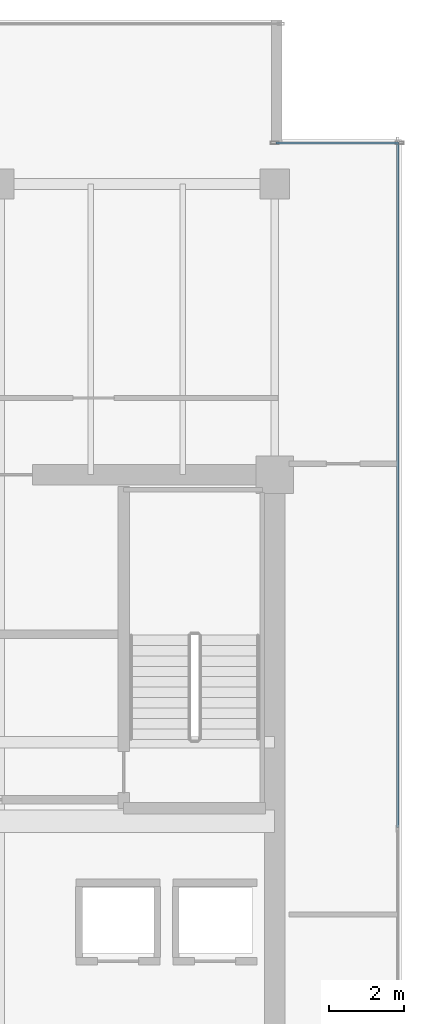
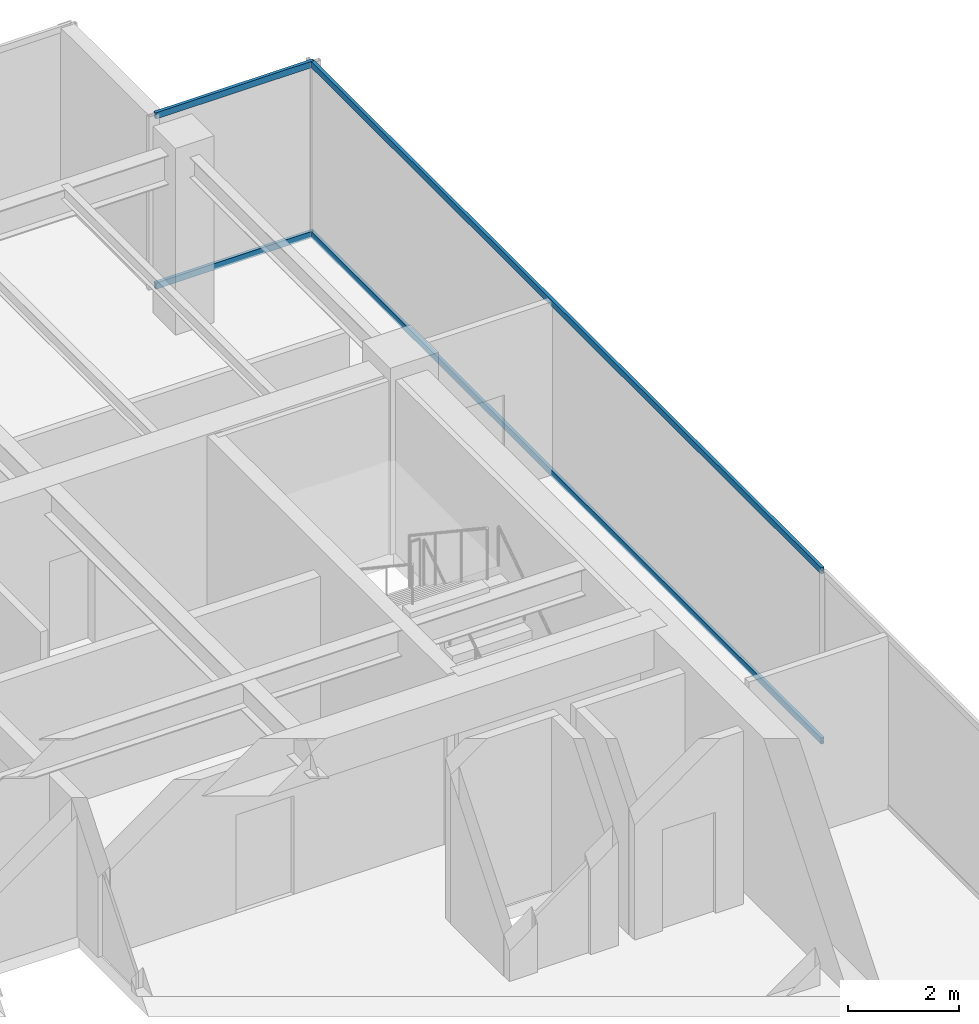
# One storey, part 25 of 33: 4 members, 2 elements without a shape of their own.
"""IFC4 building model written with IfcOpenShell, lengths in metres."""

from ifc_helpers import new_model, si_unit, direction, frame, origin, origin_2d, place, context, subcontext, project, spatial, hollow_rectangle, extrude, source, transform, mapped, material, layer, layer_set, material_profile, profile_set, type_object, type_shapes, element, aggregate, save


model = new_model("IFC4")

# Units and contexts
model_context = context("Model", 3, precision=1e-05, world=origin(), true_north=direction((0.0, 1.0)))
body_context = subcontext(model_context, "Body", "Model", "MODEL_VIEW")
ifc_project = project(units=[si_unit("LENGTHUNIT", "METRE"), si_unit("AREAUNIT", "SQUARE_METRE"), si_unit("VOLUMEUNIT", "CUBIC_METRE"), si_unit("PLANEANGLEUNIT", "RADIAN"), si_unit("MASSUNIT", "GRAM", prefix="KILO")], contexts=[model_context])

# Site, building, storey
site_placement = place(None, origin())
site = spatial("IfcSite", under=ifc_project, at=site_placement, CompositionType="ELEMENT")
building_placement = place(site_placement, origin())
building = spatial("IfcBuilding", under=site, at=building_placement, Name="Haelvirn Gate Laboratories", CompositionType="ELEMENT")
storey_placement = place(building_placement, frame((0.0, 0.0, 217.800048828125)))
storey = spatial("IfcBuildingStorey", under=building, at=storey_placement, Name="L52", CompositionType="ELEMENT", Elevation=217.800048828125)

# Curtain wall, members
ifc_material_1 = material(Name="Anodised bronze unitised aluminium & triple low-E glass", Category="aluminium")
ifc_layer_1 = layer(ifc_material_1, 0.181884765625, Name="CW-SYS-5")
ifc_layer_set_1 = layer_set([ifc_layer_1], Name="Anodised bronze unitised aluminium & triple low-E glass")
curtain_wall_type_1 = type_object("IfcCurtainWallType", Name="CW-SYS-5", PredefinedType="NOTDEFINED", material=ifc_layer_set_1)
curtain_wall_1_placement = place(storey_placement, origin())
curtain_wall_1 = element("IfcCurtainWall", 1, at=curtain_wall_1_placement, inside=storey, type_object=curtain_wall_type_1, Name="L52 Unitised Curtain Wall CW-L52-P0-E08-1", PredefinedType="NOTDEFINED")
ifc_material_2 = material(Name="Extruded aluminium 6063-T6 (anodised bronze)", Category="aluminium")
ifc_material_profile = material_profile(ifc_material_2, hollow_rectangle(XDim=0.06494140625, YDim=0.139892578125, WallThickness=0.00390625, at=origin_2d()), Name="CWT-140x65x4")
ifc_profile_set = profile_set([ifc_material_profile], Name="Extruded aluminium 6063-T6 (anodised bronze)")
member_type = type_object("IfcMemberType", Name="CWT-T140", PredefinedType="USERDEFINED", material=ifc_profile_set)
shared_shape_1 = source(origin(), body_context, "Body", "SweptSolid", [
    extrude(hollow_rectangle(XDim=0.06494140625, YDim=0.139892578125, WallThickness=0.00390625, at=origin_2d()), origin(), (0.0, 0.0, 1.0), 3.280029296875),
])
member_1_placement = place(storey_placement, frame((67.43994140625, 42.699951171875, 0.032470703125), z_axis=(1.0, 0.0, 0.0), x_axis=(0.0, 1.0, 0.0)))
member_1 = element("IfcMember", 2, at=member_1_placement, type_object=member_type, Name="CW5 transom 1.1", ObjectType="TRANSOM", PredefinedType="USERDEFINED", context=body_context, shape_type="MappedRepresentation", body=[
    mapped(shared_shape_1, transform((0.0, 0.0, 0.0), scale=1.0)),
])
member_2_placement = place(storey_placement, frame((67.43994140625, 42.699951171875, 3.767333984375), z_axis=(1.0, 0.0, 0.0), x_axis=(0.0, 1.0, 0.0)))
member_2 = element("IfcMember", 3, at=member_2_placement, type_object=member_type, Name="CW5 transom 1.2", ObjectType="TRANSOM", PredefinedType="USERDEFINED", context=body_context, shape_type="MappedRepresentation", body=[
    mapped(shared_shape_1, transform((0.0, 0.0, 0.0), scale=1.0)),
])
aggregate(curtain_wall_1, [member_1, member_2])

ifc_layer_2 = layer(ifc_material_1, 0.176025390625, Name="CW-SYS-4")
ifc_layer_set_2 = layer_set([ifc_layer_2], Name="Anodised bronze unitised aluminium & triple low-E glass")
curtain_wall_type_2 = type_object("IfcCurtainWallType", Name="CW-SYS-4", PredefinedType="NOTDEFINED", material=ifc_layer_set_2)
curtain_wall_2_placement = place(storey_placement, origin())
curtain_wall_2 = element("IfcCurtainWall", 4, at=curtain_wall_2_placement, inside=storey, type_object=curtain_wall_type_2, Name="L52 Unitised Curtain Wall CW-L52-P0-E07", PredefinedType="NOTDEFINED")
shared_shape_2 = source(origin(), body_context, "Body", "SweptSolid", [
    extrude(hollow_rectangle(XDim=0.06494140625, YDim=0.139892578125, WallThickness=0.00390625, at=origin_2d()), origin(), (0.0, 0.0, 1.0), 18.39501953125),
])
type_shapes(member_type, [shared_shape_1, shared_shape_2])
member_3_placement = place(storey_placement, frame((70.699951171875, 24.3349609375, 0.032470703125), z_axis=(0.0, 1.0, 0.0), x_axis=(-1.0, 0.0, 0.0)))
member_3 = element("IfcMember", 5, at=member_3_placement, type_object=member_type, Name="CW4 transom 2.1", ObjectType="TRANSOM", PredefinedType="USERDEFINED", context=body_context, shape_type="MappedRepresentation", body=[
    mapped(shared_shape_2, transform((0.0, 0.0, 0.0), scale=1.0)),
])
member_4_placement = place(storey_placement, frame((70.699951171875, 24.3349609375, 3.767333984375), z_axis=(0.0, 1.0, 0.0), x_axis=(-1.0, 0.0, 0.0)))
member_4 = element("IfcMember", 6, at=member_4_placement, type_object=member_type, Name="CW4 transom 2.2", ObjectType="TRANSOM", PredefinedType="USERDEFINED", context=body_context, shape_type="MappedRepresentation", body=[
    mapped(shared_shape_2, transform((0.0, 0.0, 0.0), scale=1.0)),
])
aggregate(curtain_wall_2, [member_3, member_4])

save(model, "model.ifc")
